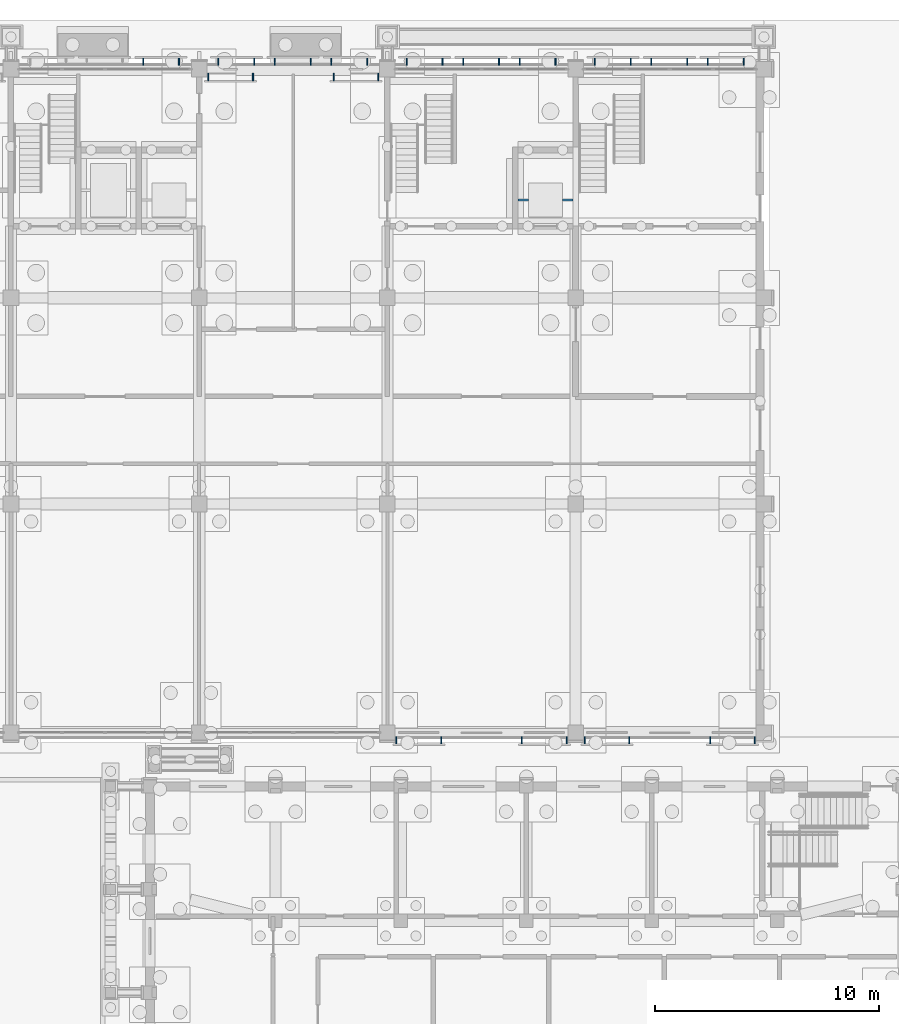
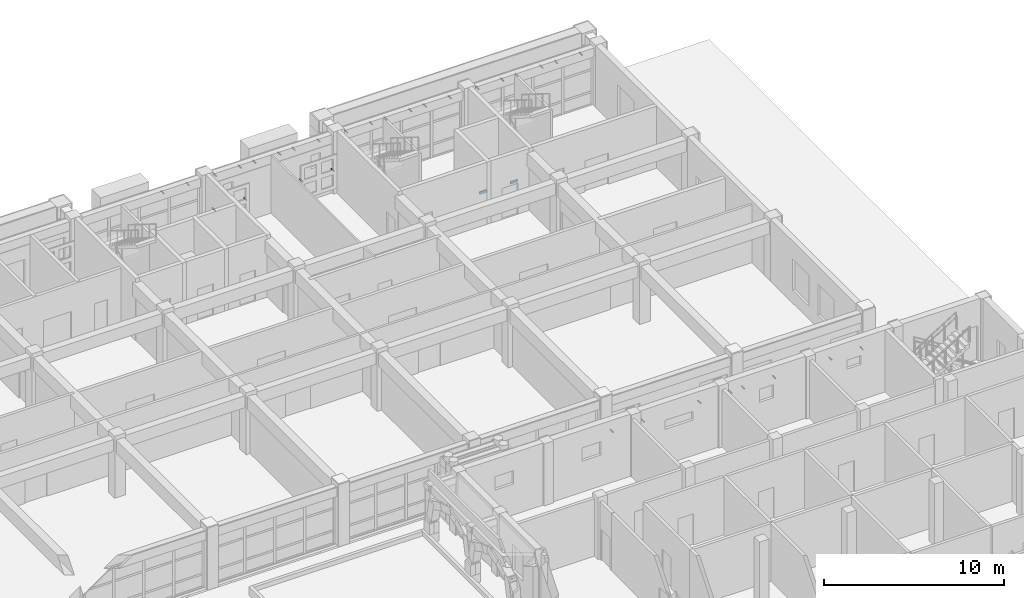
# One storey, part 93 of 112: 34 discrete accessories.
"""IFC4 building model written with IfcOpenShell, lengths in metres."""

from ifc_helpers import new_model, si_unit, direction, frame, origin, origin_2d, place, context, subcontext, project, spatial, rectangle, extrude, material, type_object, element, save


model = new_model("IFC4")

# Units and contexts
model_context = context("Model", 3, precision=1e-05, world=origin(), true_north=direction((0.0, 1.0)))
body_context = subcontext(model_context, "Body", "Model", "MODEL_VIEW")
ifc_project = project(units=[si_unit("LENGTHUNIT", "METRE"), si_unit("AREAUNIT", "SQUARE_METRE"), si_unit("VOLUMEUNIT", "CUBIC_METRE"), si_unit("PLANEANGLEUNIT", "RADIAN"), si_unit("MASSUNIT", "GRAM", prefix="KILO")], contexts=[model_context])

# Site, building, storey
site_placement = place(None, origin())
site = spatial("IfcSite", under=ifc_project, at=site_placement, CompositionType="ELEMENT")
building_placement = place(site_placement, origin())
building = spatial("IfcBuilding", under=site, at=building_placement, Name="Wasatch Bagh Community Centre", CompositionType="ELEMENT")
storey_placement = place(building_placement, origin())
storey = spatial("IfcBuildingStorey", under=building, at=storey_placement, Name="L00", CompositionType="ELEMENT", Elevation=0.0)

# Discrete accessories
ifc_material = material(Name="Galvanised steel", Category="steel")
discrete_accessory_type_1 = type_object("IfcDiscreteAccessoryType", Name="LW jali bracket", PredefinedType="BRACKET", material=ifc_material)
for number, where, z_axis, x_axis, name in (
    (1, (123.199951171875, 67.860107421875, 1.634765625), (0.0, 0.0, 1.0), (1.0, 0.0, 0.0), "Jali bracket"),
    (2, (125.199951171875, 67.860107421875, 1.634765625), (0.0, 0.0, 1.0), (1.0, 0.0, 0.0), "Jali bracket"),
    (3, (128.800048828125, 67.860107421875, 1.634765625), (0.0, 0.0, 1.0), (1.0, 0.0, 0.0), "Jali bracket"),
    (4, (130.800048828125, 67.860107421875, 1.634765625), (0.0, 0.0, 1.0), (1.0, 0.0, 0.0), "Jali bracket"),
    (5, (131.60009765625, 67.860107421875, 1.634765625), (0.0, 0.0, 1.0), (1.0, 0.0, 0.0), "Jali bracket"),
    (6, (133.60009765625, 67.860107421875, 1.634765625), (0.0, 0.0, 1.0), (1.0, 0.0, 0.0), "Jali bracket"),
    (7, (137.199951171875, 67.860107421875, 1.634765625), (0.0, 0.0, 1.0), (1.0, 0.0, 0.0), "Jali bracket"),
    (8, (139.199951171875, 67.860107421875, 1.634765625), (0.0, 0.0, 1.0), (1.0, 0.0, 0.0), "Jali bracket"),
    (9, (114.800048828125, 97.4599609375, 1.634765625), (0.0, 0.0, 1.0), (1.0, 0.0, 0.0), "Jali bracket"),
    (10, (116.800048828125, 97.4599609375, 1.634765625), (0.0, 0.0, 1.0), (1.0, 0.0, 0.0), "Jali bracket"),
    (11, (120.39990234375, 97.4599609375, 1.634765625), (0.0, 0.0, 1.0), (1.0, 0.0, 0.0), "Jali bracket"),
    (12, (122.39990234375, 97.4599609375, 1.634765625), (0.0, 0.0, 1.0), (1.0, 0.0, 0.0), "Jali bracket"),
):
    element("IfcDiscreteAccessory", number, at=place(storey_placement, frame(where, z_axis=z_axis, x_axis=x_axis)), inside=storey, type_object=discrete_accessory_type_1, Name=name, PredefinedType="BRACKET", context=body_context, shape_type="SweptSolid", body=[
        extrude(rectangle(XDim=0.050048828125, YDim=0.320068359375, at=origin_2d()), origin(), (0.0, 0.0, 1.0), 0.050048828125),
    ])
for number, where, z_axis, x_axis, name in (
    (13, (111.89990234375, 98.137451171875, 3.39501953125), (0.0, 0.0, 1.0), (1.0, 0.0, 0.0), "Jali bracket"),
    (14, (113.5, 98.137451171875, 3.39501953125), (0.0, 0.0, 1.0), (1.0, 0.0, 0.0), "Jali bracket"),
    (15, (115.260009765625, 98.137451171875, 3.39501953125), (0.0, 0.0, 1.0), (1.0, 0.0, 0.0), "Jali bracket"),
    (16, (116.860107421875, 98.137451171875, 3.39501953125), (0.0, 0.0, 1.0), (1.0, 0.0, 0.0), "Jali bracket"),
    (17, (117.780029296875, 98.137451171875, 3.39501953125), (0.0, 0.0, 1.0), (1.0, 0.0, 0.0), "Jali bracket"),
    (18, (119.3798828125, 98.137451171875, 3.39501953125), (0.0, 0.0, 1.0), (1.0, 0.0, 0.0), "Jali bracket"),
    (19, (120.300048828125, 98.137451171875, 3.39501953125), (0.0, 0.0, 1.0), (1.0, 0.0, 0.0), "Jali bracket"),
    (20, (121.89990234375, 98.137451171875, 3.39501953125), (0.0, 0.0, 1.0), (1.0, 0.0, 0.0), "Jali bracket"),
    (21, (123.659912109375, 98.137451171875, 3.39501953125), (0.0, 0.0, 1.0), (1.0, 0.0, 0.0), "Jali bracket"),
    (22, (125.260009765625, 98.137451171875, 3.39501953125), (0.0, 0.0, 1.0), (1.0, 0.0, 0.0), "Jali bracket"),
    (23, (126.179931640625, 98.137451171875, 3.39501953125), (0.0, 0.0, 1.0), (1.0, 0.0, 0.0), "Jali bracket"),
    (24, (127.780029296875, 98.137451171875, 3.39501953125), (0.0, 0.0, 1.0), (1.0, 0.0, 0.0), "Jali bracket"),
    (25, (128.699951171875, 98.137451171875, 3.39501953125), (0.0, 0.0, 1.0), (1.0, 0.0, 0.0), "Jali bracket"),
    (26, (130.300048828125, 98.137451171875, 3.39501953125), (0.0, 0.0, 1.0), (1.0, 0.0, 0.0), "Jali bracket"),
    (27, (132.06005859375, 98.137451171875, 3.39501953125), (0.0, 0.0, 1.0), (1.0, 0.0, 0.0), "Jali bracket"),
    (28, (133.659912109375, 98.137451171875, 3.39501953125), (0.0, 0.0, 1.0), (1.0, 0.0, 0.0), "Jali bracket"),
    (29, (134.580078125, 98.137451171875, 3.39501953125), (0.0, 0.0, 1.0), (1.0, 0.0, 0.0), "Jali bracket"),
    (30, (136.179931640625, 98.137451171875, 3.39501953125), (0.0, 0.0, 1.0), (1.0, 0.0, 0.0), "Jali bracket"),
    (31, (137.10009765625, 98.137451171875, 3.39501953125), (0.0, 0.0, 1.0), (1.0, 0.0, 0.0), "Jali bracket"),
    (32, (138.699951171875, 98.137451171875, 3.39501953125), (0.0, 0.0, 1.0), (1.0, 0.0, 0.0), "Jali bracket"),
):
    element("IfcDiscreteAccessory", number, at=place(storey_placement, frame(where, z_axis=z_axis, x_axis=x_axis)), inside=storey, type_object=discrete_accessory_type_1, Name=name, PredefinedType="BRACKET", context=body_context, shape_type="SweptSolid", body=[
        extrude(rectangle(XDim=0.050048828125, YDim=0.324951171875, at=origin_2d()), origin(), (0.0, 0.0, 1.0), 0.050048828125),
    ])
discrete_accessory_type_2 = type_object("IfcDiscreteAccessoryType", Name="LW lift guide bracket", PredefinedType="BRACKET", material=ifc_material)
for number, where, z_axis, x_axis, name in (
    (33, (128.856201171875, 91.96240234375, 1.175048828125), (0.0, 0.0, 1.0), (1.0, 0.0, 0.0), "Guide bracket C3"),
    (34, (130.84375, 91.96240234375, 1.175048828125), (0.0, 0.0, 1.0), (1.0, 0.0, 0.0), "Guide bracket C3"),
):
    element("IfcDiscreteAccessory", number, at=place(storey_placement, frame(where, z_axis=z_axis, x_axis=x_axis)), inside=storey, type_object=discrete_accessory_type_2, Name=name, PredefinedType="BRACKET", context=body_context, shape_type="SweptSolid", body=[
        extrude(rectangle(XDim=0.46240234375, YDim=0.10009765625, at=origin_2d()), origin(), (0.0, 0.0, 1.0), 0.14990234375),
    ])

save(model, "model.ifc")
